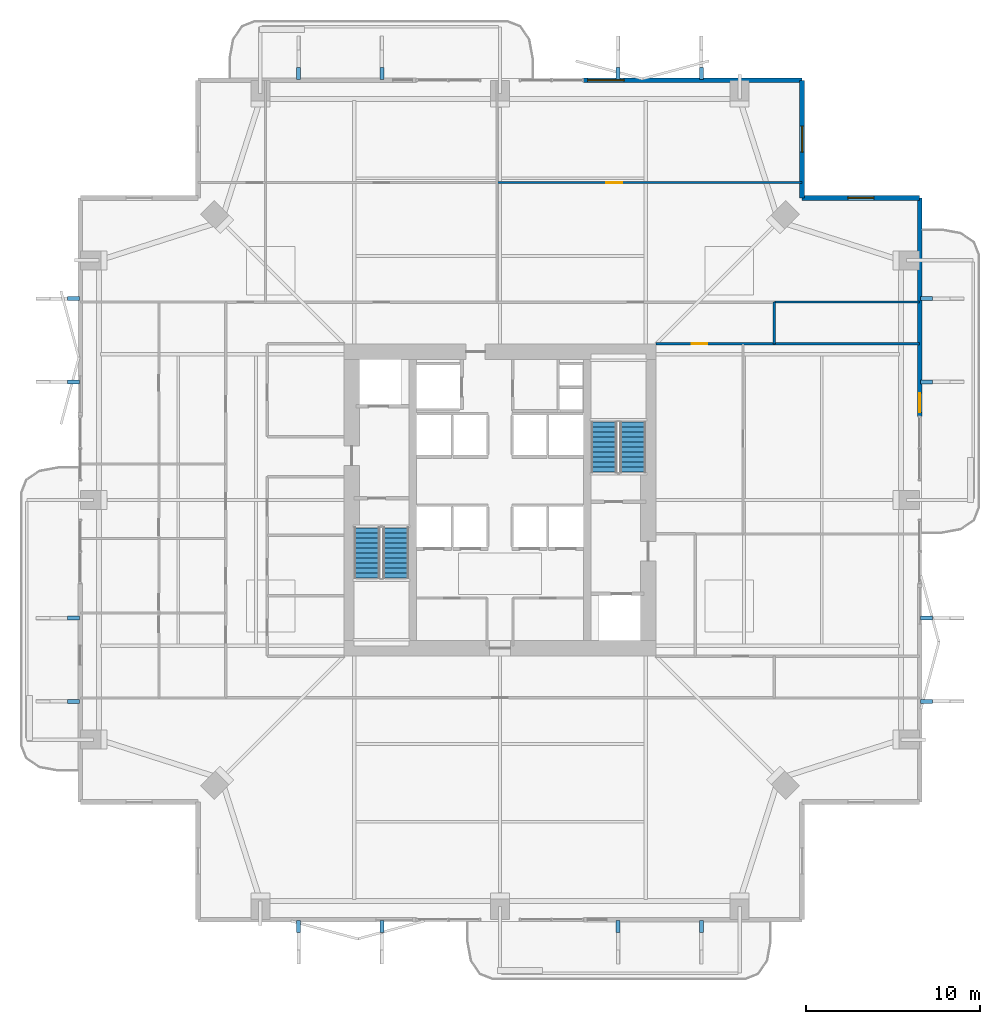
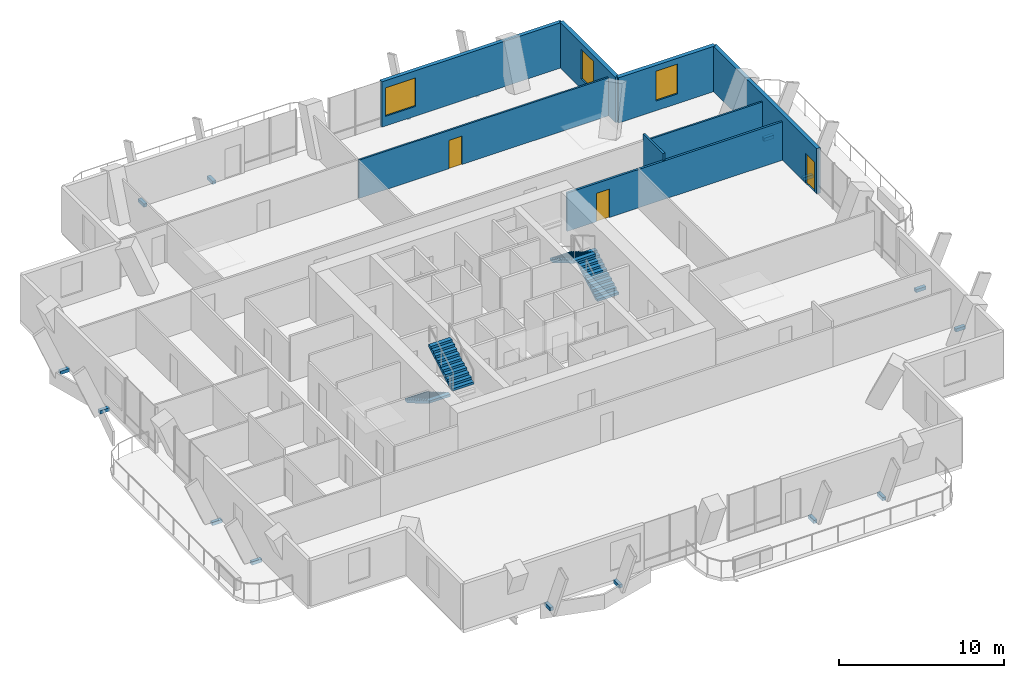
# One storey, part 21 of 24: 16 discrete accessories, 8 walls, 4 stair flights, 3 doors, 3 windows, 6 openings, 2 elements without a shape of their own.
"""IFC4 building model written with IfcOpenShell, lengths in metres."""

from ifc_helpers import new_model, si_unit, direction, frame, frame_2d, origin, origin_2d, place, context, subcontext, project, spatial, polyline, rectangle, outline, extrude, material, layer, layer_set, type_object, element, fill, aggregate, save


model = new_model("IFC4")

# Units and contexts
model_context = context("Model", 3, precision=1e-05, world=origin(), true_north=direction((0.0, 1.0)))
body_context = subcontext(model_context, "Body", "Model", "MODEL_VIEW")
ifc_project = project(units=[si_unit("LENGTHUNIT", "METRE"), si_unit("AREAUNIT", "SQUARE_METRE"), si_unit("VOLUMEUNIT", "CUBIC_METRE"), si_unit("PLANEANGLEUNIT", "RADIAN"), si_unit("MASSUNIT", "GRAM", prefix="KILO")], contexts=[model_context])

# Site, building, storey
site_placement = place(None, origin())
site = spatial("IfcSite", under=ifc_project, at=site_placement, CompositionType="ELEMENT")
building_placement = place(site_placement, origin())
building = spatial("IfcBuilding", under=site, at=building_placement, Name="Belovzor Exchange Tower", CompositionType="ELEMENT")
storey_placement = place(building_placement, frame((0.0, 0.0, 190.800048828125)))
storey = spatial("IfcBuildingStorey", under=building, at=storey_placement, Name="L47", CompositionType="ELEMENT", Elevation=190.800048828125)

# Wall, opening, door
ifc_material_1 = material(Name="Acoustic Plasterboard on Galvanised Studs", Category="gypsum")
ifc_layer_1 = layer(ifc_material_1, 0.1201171875)
ifc_layer_set_1 = layer_set([ifc_layer_1], Name="Acoustic Plasterboard on Galvanised Studs")
wall_type_1 = type_object("IfcWallType", Name="Acoustic Double-Stud Partition Wall 120", PredefinedType="PARTITIONING", material=ifc_layer_set_1)
wall_1_placement = place(storey_placement, frame((28.631103515625, 47.0830078125, 0.0), z_axis=(0.0, 0.0, 1.0), x_axis=(1.0, 0.0, 0.0)))
wall_1 = element("IfcWall", 1, at=wall_1_placement, inside=storey, type_object=wall_type_1, Name="W-P120 Partition Wall W-L47-NHDIV-2", PredefinedType="PARTITIONING", context=body_context, shape_type="SweptSolid", body=[
    extrude(rectangle(XDim=17.56884765625, YDim=0.1201171875, at=frame_2d((8.784423828125, 0.0))), origin(), (0.0, 0.0, 1.0), 2.8349609375),
])
opening_1_placement = place(wall_1_placement, frame((6.301025390625, 0.0, 0.0)))
opening_1 = element("IfcOpeningElement", 2, at=opening_1_placement, cuts=wall_1, Name="Opening D-INT-090", PredefinedType="OPENING", context=body_context, shape_type="SweptSolid", body=[
    extrude(rectangle(XDim=0.89990234375, YDim=2.10009765625, at=frame_2d((0.449951171875, 1.050048828125))), frame((0.0, 0.070068359375, 0.0), z_axis=(0.0, -1.0, 0.0), x_axis=(1.0, 0.0, 0.0)), (0.0, 0.0, 1.0), 0.14013671875),
])
ifc_material_2 = material(Name="Veneered Hardwood Acoustic Leaf", Category="wood")
door_type_1 = type_object("IfcDoorType", Name="Trading Suite Acoustic Single Door 900x2100", OperationType="NOTDEFINED", PredefinedType="DOOR", material=ifc_material_2)
door_1_placement = place(opening_1_placement, origin())
door_1 = element("IfcDoor", 3, at=door_1_placement, inside=storey, type_object=door_type_1, Name="D-INT-090 Trading Suite Acoustic Single Door 900x2100", OperationType="SINGLE_SWING_RIGHT", OverallHeight=2.10009765625, OverallWidth=0.89990234375, PredefinedType="DOOR", context=body_context, shape_type="SweptSolid", body=[
    extrude(rectangle(XDim=0.89990234375, YDim=2.10009765625, at=frame_2d((0.449951171875, 1.050048828125))), frame((0.0, 0.02490234375, 0.0), z_axis=(0.0, -1.0, 0.0), x_axis=(1.0, 0.0, 0.0)), (0.0, 0.0, 1.0), 0.050048828125),
])
fill(opening_1, door_1)

# Walls
wall_2_placement = place(storey_placement, frame((44.60009765625, 40.199951171875, 0.0), z_axis=(0.0, 0.0, 1.0), x_axis=(1.0, 0.0, 0.0)))
element("IfcWall", 4, at=wall_2_placement, inside=storey, type_object=wall_type_1, Name="W-P120 Partition Wall W-L47-END-NE", PredefinedType="PARTITIONING", context=body_context, shape_type="SweptSolid", body=[
    extrude(rectangle(XDim=8.369873046875, YDim=0.1201171875, at=frame_2d((4.18505859375, 0.0))), origin(), (0.0, 0.0, 1.0), 2.8349609375),
])
ifc_material_3 = material(Name="Fire-Rated Gypsum Block and Mineral Wool", Category="gypsum")
ifc_layer_2 = layer(ifc_material_3, 0.14990234375)
ifc_layer_set_2 = layer_set([ifc_layer_2], Name="Fire-Rated Gypsum Block and Mineral Wool")
wall_type_2 = type_object("IfcWallType", Name="Fire-Rated Gypsum Block Corridor Wall 150", PredefinedType="PARTITIONING", material=ifc_layer_set_2)
wall_3_placement = place(storey_placement, frame((44.60009765625, 37.800048828125, 0.0), z_axis=(0.0, 0.0, 1.0), x_axis=(0.0, 1.0, 0.0)))
element("IfcWall", 5, at=wall_3_placement, inside=storey, type_object=wall_type_2, Name="W-P150 Partition Wall W-L47-END-EN", PredefinedType="PARTITIONING", context=body_context, shape_type="SweptSolid", body=[
    extrude(rectangle(XDim=2.39990234375, YDim=0.14990234375, at=frame_2d((1.199951171875, 0.0))), origin(), (0.0, 0.0, 1.0), 3.349853515625),
])

# Wall, opening, door
wall_4_placement = place(storey_placement, frame((37.800048828125, 37.800048828125, 0.0), z_axis=(0.0, 0.0, 1.0), x_axis=(1.0, 0.0, 0.0)))
wall_4 = element("IfcWall", 6, at=wall_4_placement, inside=storey, type_object=wall_type_2, Name="W-P150 Partition Wall W-L47-CN-IN", PredefinedType="PARTITIONING", context=body_context, shape_type="SweptSolid", body=[
    extrude(rectangle(XDim=15.169921875, YDim=0.14990234375, at=frame_2d((7.5849609375, 0.0))), origin(), (0.0, 0.0, 1.0), 2.8349609375),
])
opening_2_placement = place(wall_4_placement, frame((2.050048828125, 0.0, 0.0)))
opening_2 = element("IfcOpeningElement", 7, at=opening_2_placement, cuts=wall_4, Name="Opening D-INT-090", PredefinedType="OPENING", context=body_context, shape_type="SweptSolid", body=[
    extrude(rectangle(XDim=0.89990234375, YDim=2.10009765625, at=frame_2d((0.449951171875, 1.050048828125))), frame((0.0, 0.0849609375, 0.0), z_axis=(0.0, -1.0, 0.0), x_axis=(1.0, 0.0, 0.0)), (0.0, 0.0, 1.0), 0.169921875),
])
door_2_placement = place(opening_2_placement, origin())
door_2 = element("IfcDoor", 8, at=door_2_placement, inside=storey, type_object=door_type_1, Name="D-INT-090 Trading Suite Acoustic Single Door 900x2100", OperationType="SINGLE_SWING_RIGHT", OverallHeight=2.10009765625, OverallWidth=0.89990234375, PredefinedType="DOOR", context=body_context, shape_type="SweptSolid", body=[
    extrude(rectangle(XDim=0.89990234375, YDim=2.10009765625, at=frame_2d((0.449951171875, 1.050048828125))), frame((0.0, 0.02490234375, 0.0), z_axis=(0.0, -1.0, 0.0), x_axis=(1.0, 0.0, 0.0)), (0.0, 0.0, 1.0), 0.050048828125),
])
fill(opening_2, door_2)

# Wall, opening, window
ifc_material_4 = material(Name="Precast concrete C40/50", Category="concrete")
ifc_layer_3 = layer(ifc_material_4, 0.280029296875)
ifc_layer_set_3 = layer_set([ifc_layer_3], Name="Precast concrete C40/50")
wall_type_3 = type_object("IfcWallType", Name="Precast Concrete Notched Corner Frame Wall 280", PredefinedType="SOLIDWALL", material=ifc_layer_set_3)
wall_5_placement = place(storey_placement, frame((46.199951171875, 52.969970703125, 0.0), z_axis=(0.0, 0.0, 1.0), x_axis=(0.0, -1.0, 0.0)))
wall_5 = element("IfcWall", 9, at=wall_5_placement, inside=storey, type_object=wall_type_3, Name="W-CRN280 Precast Concrete Notched Corner Frame Wall 280 L47", PredefinedType="SOLIDWALL", context=body_context, shape_type="SweptSolid", body=[
    extrude(rectangle(XDim=6.77001953125, YDim=0.280029296875, at=frame_2d((3.385009765625, 0.0))), origin(), (0.0, 0.0, 1.0), 3.349853515625),
])
opening_3_placement = place(wall_5_placement, frame((2.635009765625, 0.0, 0.719970703125)))
opening_3 = element("IfcOpeningElement", 10, at=opening_3_placement, cuts=wall_5, Name="Opening WN-CRN150", PredefinedType="OPENING", context=body_context, shape_type="SweptSolid", body=[
    extrude(rectangle(XDim=1.5, YDim=2.199951171875, at=frame_2d((0.75, 1.10009765625))), frame((0.0, 0.14990234375, 0.0), z_axis=(0.0, -1.0, 0.0), x_axis=(1.0, 0.0, 0.0)), (0.0, 0.0, 1.0), 0.300048828125),
])
ifc_material_5 = material(Name="Thermally Broken Aluminium and Triple Glazing", Category="aluminium")
window_type_1 = type_object("IfcWindowType", Name="Streamline Notched Corner Window 1500x2200", PartitioningType="SINGLE_PANEL", PredefinedType="WINDOW", material=ifc_material_5)
window_1_placement = place(opening_3_placement, origin())
window_1 = element("IfcWindow", 11, at=window_1_placement, inside=storey, type_object=window_type_1, Name="WN-CRN150 Streamline Notched Corner Window 1500x2200", OverallHeight=2.199951171875, OverallWidth=1.5, PartitioningType="SINGLE_PANEL", PredefinedType="WINDOW", context=body_context, shape_type="SweptSolid", body=[
    extrude(rectangle(XDim=1.5, YDim=2.199951171875, at=frame_2d((0.75, 1.10009765625))), frame((0.0, 0.030029296875, 0.0), z_axis=(0.0, -1.0, 0.0), x_axis=(1.0, 0.0, 0.0)), (0.0, 0.0, 1.0), 0.06005859375),
])
fill(opening_3, window_1)

wall_6_placement = place(storey_placement, frame((46.199951171875, 46.199951171875, 0.0), z_axis=(0.0, 0.0, 1.0), x_axis=(1.0, 0.0, 0.0)))
wall_6 = element("IfcWall", 12, at=wall_6_placement, inside=storey, type_object=wall_type_3, Name="W-CRN280 Precast Concrete Notched Corner Frame Wall 280 L47", PredefinedType="SOLIDWALL", context=body_context, shape_type="SweptSolid", body=[
    extrude(rectangle(XDim=6.77001953125, YDim=0.280029296875, at=frame_2d((3.385009765625, 0.0))), origin(), (0.0, 0.0, 1.0), 3.349853515625),
])
opening_4_placement = place(wall_6_placement, frame((2.635009765625, 0.0, 0.719970703125)))
opening_4 = element("IfcOpeningElement", 13, at=opening_4_placement, cuts=wall_6, Name="Opening WN-CRN150", PredefinedType="OPENING", context=body_context, shape_type="SweptSolid", body=[
    extrude(rectangle(XDim=1.5, YDim=2.199951171875, at=frame_2d((0.75, 1.10009765625))), frame((0.0, 0.14990234375, 0.0), z_axis=(0.0, -1.0, 0.0), x_axis=(1.0, 0.0, 0.0)), (0.0, 0.0, 1.0), 0.300048828125),
])
window_2_placement = place(opening_4_placement, origin())
window_2 = element("IfcWindow", 14, at=window_2_placement, inside=storey, type_object=window_type_1, Name="WN-CRN150 Streamline Notched Corner Window 1500x2200", OverallHeight=2.199951171875, OverallWidth=1.5, PartitioningType="SINGLE_PANEL", PredefinedType="WINDOW", context=body_context, shape_type="SweptSolid", body=[
    extrude(rectangle(XDim=1.5, YDim=2.199951171875, at=frame_2d((0.75, 1.10009765625))), frame((0.0, 0.030029296875, 0.0), z_axis=(0.0, -1.0, 0.0), x_axis=(1.0, 0.0, 0.0)), (0.0, 0.0, 1.0), 0.06005859375),
])
fill(opening_4, window_2)

ifc_material_6 = material(Name="Precast concrete C40/50", Category="concrete")
ifc_layer_4 = layer(ifc_material_6, 0.260009765625)
ifc_layer_set_4 = layer_set([ifc_layer_4], Name="Precast concrete C40/50")
wall_type_4 = type_object("IfcWallType", Name="Precast Concrete Perimeter Loggia Frame Wall 260", PredefinedType="SOLIDWALL", material=ifc_layer_set_4)
wall_7_placement = place(storey_placement, frame((33.60009765625, 52.969970703125, 0.0), z_axis=(0.0, 0.0, 1.0), x_axis=(1.0, 0.0, 0.0)))
wall_7 = element("IfcWall", 15, at=wall_7_placement, inside=storey, type_object=wall_type_4, Name="W-EXT260 Precast Concrete Perimeter Loggia Frame Wall 260 L47", PredefinedType="SOLIDWALL", context=body_context, shape_type="SweptSolid", body=[
    extrude(rectangle(XDim=12.599853515625, YDim=0.260009765625, at=frame_2d((6.2998046875, 0.0))), origin(), (0.0, 0.0, 1.0), 3.349853515625),
])
opening_5_placement = place(wall_7_placement, frame((0.25, 0.0, 0.719970703125)))
opening_5 = element("IfcOpeningElement", 16, at=opening_5_placement, cuts=wall_7, Name="Opening WN-LOG210", PredefinedType="OPENING", context=body_context, shape_type="SweptSolid", body=[
    extrude(rectangle(XDim=2.10009765625, YDim=2.10009765625, at=frame_2d((1.050048828125, 1.050048828125))), frame((0.0, 0.139892578125, 0.0), z_axis=(0.0, -1.0, 0.0), x_axis=(1.0, 0.0, 0.0)), (0.0, 0.0, 1.0), 0.280029296875),
])
ifc_material_7 = material(Name="Thermally Broken Aluminium and Triple Glazing", Category="aluminium")
window_type_2 = type_object("IfcWindowType", Name="Triple-Glazed Loggia Ribbon Window 2100x2100", PartitioningType="SINGLE_PANEL", PredefinedType="WINDOW", material=ifc_material_7)
window_3_placement = place(opening_5_placement, origin())
window_3 = element("IfcWindow", 17, at=window_3_placement, inside=storey, type_object=window_type_2, Name="WN-LOG210 Triple-Glazed Loggia Ribbon Window 2100x2100", OverallHeight=2.10009765625, OverallWidth=2.10009765625, PartitioningType="SINGLE_PANEL", PredefinedType="WINDOW", context=body_context, shape_type="SweptSolid", body=[
    extrude(rectangle(XDim=2.10009765625, YDim=2.10009765625, at=frame_2d((1.050048828125, 1.050048828125))), frame((0.0, 0.030029296875, 0.0), z_axis=(0.0, -1.0, 0.0), x_axis=(1.0, 0.0, 0.0)), (0.0, 0.0, 1.0), 0.06005859375),
])
fill(opening_5, window_3)

# Wall, opening, door
wall_8_placement = place(storey_placement, frame((52.969970703125, 46.199951171875, 0.0), z_axis=(0.0, 0.0, 1.0), x_axis=(0.0, -1.0, 0.0)))
wall_8 = element("IfcWall", 18, at=wall_8_placement, inside=storey, type_object=wall_type_4, Name="W-EXT260 Precast Concrete Perimeter Loggia Frame Wall 260 L47", PredefinedType="SOLIDWALL", context=body_context, shape_type="SweptSolid", body=[
    extrude(rectangle(XDim=12.599853515625, YDim=0.260009765625, at=frame_2d((6.2998046875, 0.0))), origin(), (0.0, 0.0, 1.0), 3.349853515625),
])
opening_6_placement = place(wall_8_placement, frame((11.25, 0.0, 0.0)))
opening_6 = element("IfcOpeningElement", 19, at=opening_6_placement, cuts=wall_8, Name="Opening D-BAL110", PredefinedType="OPENING", context=body_context, shape_type="SweptSolid", body=[
    extrude(rectangle(XDim=1.10009765625, YDim=2.199951171875, at=frame_2d((0.550048828125, 1.10009765625))), frame((0.0, 0.139892578125, 0.0), z_axis=(0.0, -1.0, 0.0), x_axis=(1.0, 0.0, 0.0)), (0.0, 0.0, 1.0), 0.280029296875),
])
ifc_material_8 = material(Name="Thermally Broken Anodised Aluminium and Laminated Glass", Category="aluminium")
door_type_2 = type_object("IfcDoorType", Name="Planted Loggia Terrace Glazed Door 1100x2200", OperationType="SINGLE_SWING_LEFT", PredefinedType="DOOR", material=ifc_material_8)
door_3_placement = place(opening_6_placement, origin())
door_3 = element("IfcDoor", 20, at=door_3_placement, inside=storey, type_object=door_type_2, Name="D-BAL110 Balcony Terrace Door L47 E", OperationType="SINGLE_SWING_LEFT", OverallHeight=2.199951171875, OverallWidth=1.10009765625, PredefinedType="DOOR", context=body_context, shape_type="SweptSolid", body=[
    extrude(rectangle(XDim=1.10009765625, YDim=2.199951171875, at=frame_2d((0.550048828125, 1.10009765625))), frame((0.0, 0.02490234375, 0.0), z_axis=(0.0, -1.0, 0.0), x_axis=(1.0, 0.0, 0.0)), (0.0, 0.0, 1.0), 0.050048828125),
])
fill(opening_6, door_3)

# Stair, stair flights
ifc_material_9 = material(Name="Concrete C40/50", Category="concrete")
stair_type = type_object("IfcStairType", Name="Reinforced Concrete Dogleg Escape Stair 1350", PredefinedType="HALF_TURN_STAIR", material=ifc_material_9)
stair_1_placement = place(storey_placement, origin())
stair_1 = element("IfcStair", 21, at=stair_1_placement, inside=storey, type_object=stair_type, Name="L47 ST-1", PredefinedType="HALF_TURN_STAIR")
ifc_material_10 = material(Name="Concrete C40/50", Category="concrete")
stair_flight_type = type_object("IfcStairFlightType", Name="Reinforced Concrete Stair Flight 1350", PredefinedType="STRAIGHT", material=ifc_material_10)
stair_flight_1_placement = place(storey_placement, frame((21.14990234375, 27.199951171875, 0.0), z_axis=(0.0, 0.0, 1.0), x_axis=(0.0, -1.0, 0.0)))
stair_flight_1 = element("IfcStairFlight", 22, at=stair_flight_1_placement, type_object=stair_flight_type, Name="ST-1 flight 1", NumberOfRisers=11, NumberOfTreads=10, PredefinedType="STRAIGHT", RiserHeight=0.170454545, TreadLength=0.29, context=body_context, shape_type="SweptSolid", body=[
    extrude(outline(polyline([(0.0, 0.0), (0.0, 0.17041015625), (0.2900390625, 0.17041015625), (0.2900390625, 0.3408203125), (0.580078125, 0.3408203125), (0.580078125, 0.511474609375), (0.8701171875, 0.511474609375), (0.8701171875, 0.681884765625), (1.159912109375, 0.681884765625), (1.159912109375, 0.852294921875), (1.449951171875, 0.852294921875), (1.449951171875, 1.022705078125), (1.739990234375, 1.022705078125), (1.739990234375, 1.193115234375), (2.030029296875, 1.193115234375), (2.030029296875, 1.363525390625), (2.320068359375, 1.363525390625), (2.320068359375, 1.5341796875), (2.610107421875, 1.5341796875), (2.610107421875, 1.70458984375), (2.89990234375, 1.70458984375), (2.89990234375, 1.875), (2.89990234375, 1.53076171875), (0.2958984375, 0.0), (0.0, 0.0)])), frame((0.0, 0.75, 0.0), z_axis=(0.0, -1.0, 0.0), x_axis=(1.0, 0.0, 0.0)), (0.0, 0.0, 1.0), 1.5),
])
stair_flight_2_placement = place(storey_placement, frame((22.800048828125, 24.300048828125, 1.875), z_axis=(0.0, 0.0, 1.0), x_axis=(0.0, 1.0, 0.0)))
stair_flight_2 = element("IfcStairFlight", 23, at=stair_flight_2_placement, type_object=stair_flight_type, Name="ST-1 flight 2", NumberOfRisers=11, NumberOfTreads=10, PredefinedType="STRAIGHT", RiserHeight=0.170454545, TreadLength=0.29, context=body_context, shape_type="SweptSolid", body=[
    extrude(outline(polyline([(0.0, 0.0), (0.0, 0.17041015625), (0.2900390625, 0.17041015625), (0.2900390625, 0.3408203125), (0.580078125, 0.3408203125), (0.580078125, 0.511474609375), (0.8701171875, 0.511474609375), (0.8701171875, 0.681884765625), (1.159912109375, 0.681884765625), (1.159912109375, 0.852294921875), (1.449951171875, 0.852294921875), (1.449951171875, 1.022705078125), (1.739990234375, 1.022705078125), (1.739990234375, 1.193115234375), (2.030029296875, 1.193115234375), (2.030029296875, 1.363525390625), (2.320068359375, 1.363525390625), (2.320068359375, 1.5341796875), (2.610107421875, 1.5341796875), (2.610107421875, 1.70458984375), (2.89990234375, 1.70458984375), (2.89990234375, 1.875), (2.89990234375, 1.53076171875), (0.2958984375, 0.0), (0.0, 0.0)])), frame((0.0, 0.75, 0.0), z_axis=(0.0, -1.0, 0.0), x_axis=(1.0, 0.0, 0.0)), (0.0, 0.0, 1.0), 1.5),
])
aggregate(stair_1, [stair_flight_1, stair_flight_2])

stair_2_placement = place(storey_placement, origin())
stair_2 = element("IfcStair", 24, at=stair_2_placement, inside=storey, type_object=stair_type, Name="L47 ST-2", PredefinedType="HALF_TURN_STAIR")
stair_flight_3_placement = place(storey_placement, frame((36.449951171875, 30.39990234375, 0.0), z_axis=(0.0, 0.0, 1.0), x_axis=(0.0, 1.0, 0.0)))
stair_flight_3 = element("IfcStairFlight", 25, at=stair_flight_3_placement, type_object=stair_flight_type, Name="ST-2 flight 1", NumberOfRisers=11, NumberOfTreads=10, PredefinedType="STRAIGHT", RiserHeight=0.170454545, TreadLength=0.29, context=body_context, shape_type="SweptSolid", body=[
    extrude(outline(polyline([(0.0, 0.0), (0.0, 0.17041015625), (0.2900390625, 0.17041015625), (0.2900390625, 0.3408203125), (0.580078125, 0.3408203125), (0.580078125, 0.511474609375), (0.8701171875, 0.511474609375), (0.8701171875, 0.681884765625), (1.159912109375, 0.681884765625), (1.159912109375, 0.852294921875), (1.449951171875, 0.852294921875), (1.449951171875, 1.022705078125), (1.739990234375, 1.022705078125), (1.739990234375, 1.193115234375), (2.030029296875, 1.193115234375), (2.030029296875, 1.363525390625), (2.320068359375, 1.363525390625), (2.320068359375, 1.5341796875), (2.610107421875, 1.5341796875), (2.610107421875, 1.70458984375), (2.89990234375, 1.70458984375), (2.89990234375, 1.875), (2.89990234375, 1.53076171875), (0.2958984375, 0.0), (0.0, 0.0)])), frame((0.0, 0.75, 0.0), z_axis=(0.0, -1.0, 0.0), x_axis=(1.0, 0.0, 0.0)), (0.0, 0.0, 1.0), 1.5),
])
stair_flight_4_placement = place(storey_placement, frame((34.800048828125, 33.300048828125, 1.875), z_axis=(0.0, 0.0, 1.0), x_axis=(0.0, -1.0, 0.0)))
stair_flight_4 = element("IfcStairFlight", 26, at=stair_flight_4_placement, type_object=stair_flight_type, Name="ST-2 flight 2", NumberOfRisers=11, NumberOfTreads=10, PredefinedType="STRAIGHT", RiserHeight=0.170454545, TreadLength=0.29, context=body_context, shape_type="SweptSolid", body=[
    extrude(outline(polyline([(0.0, 0.0), (0.0, 0.17041015625), (0.2900390625, 0.17041015625), (0.2900390625, 0.3408203125), (0.580078125, 0.3408203125), (0.580078125, 0.511474609375), (0.8701171875, 0.511474609375), (0.8701171875, 0.681884765625), (1.159912109375, 0.681884765625), (1.159912109375, 0.852294921875), (1.449951171875, 0.852294921875), (1.449951171875, 1.022705078125), (1.739990234375, 1.022705078125), (1.739990234375, 1.193115234375), (2.030029296875, 1.193115234375), (2.030029296875, 1.363525390625), (2.320068359375, 1.363525390625), (2.320068359375, 1.5341796875), (2.610107421875, 1.5341796875), (2.610107421875, 1.70458984375), (2.89990234375, 1.70458984375), (2.89990234375, 1.875), (2.89990234375, 1.53076171875), (0.2958984375, 0.0), (0.0, 0.0)])), frame((0.0, 0.75, 0.0), z_axis=(0.0, -1.0, 0.0), x_axis=(1.0, 0.0, 0.0)), (0.0, 0.0, 1.0), 1.5),
])
aggregate(stair_2, [stair_flight_3, stair_flight_4])

# Discrete accessories
ifc_material_11 = material(Name="Stainless Steel Grade 316", Category="steel")
ifc_layer_5 = layer(ifc_material_11, 0.179931640625)
ifc_layer_set_5 = layer_set([ifc_layer_5], Name="Stainless Steel Grade 316")
discrete_accessory_type = type_object("IfcDiscreteAccessoryType", Name="Stainless Steel Facade Outrigger Fixing Bracket", PredefinedType="BRACKET", material=ifc_layer_set_5)
for number, where, z_axis, x_axis, name in (
    (27, (17.199951171875, 4.237060546875, -0.2470703125), (0.0, 0.0, 1.0), (0.0, 1.0, 0.0), "BRK-FIN1 Sweeping Fin Outrigger Bracket L47 S1"),
    (28, (17.199951171875, 53.362060546875, -0.2470703125), (0.0, 0.0, 1.0), (0.0, 1.0, 0.0), "BRK-FIN1 Sweeping Fin Outrigger Bracket L47 N1"),
    (29, (4.237060546875, 17.199951171875, -0.2470703125), (0.0, 0.0, 1.0), (1.0, 0.0, 0.0), "BRK-FIN1 Sweeping Fin Outrigger Bracket L47 W1"),
    (30, (53.362060546875, 17.199951171875, -0.2470703125), (0.0, 0.0, 1.0), (1.0, 0.0, 0.0), "BRK-FIN1 Sweeping Fin Outrigger Bracket L47 E1"),
    (31, (22.0, 4.237060546875, -0.2470703125), (0.0, 0.0, 1.0), (0.0, 1.0, 0.0), "BRK-FIN1 Sweeping Fin Outrigger Bracket L47 S2"),
    (32, (22.0, 53.362060546875, -0.2470703125), (0.0, 0.0, 1.0), (0.0, 1.0, 0.0), "BRK-FIN1 Sweeping Fin Outrigger Bracket L47 N2"),
    (33, (4.237060546875, 22.0, -0.2470703125), (0.0, 0.0, 1.0), (1.0, 0.0, 0.0), "BRK-FIN1 Sweeping Fin Outrigger Bracket L47 W2"),
    (34, (53.362060546875, 22.0, -0.2470703125), (0.0, 0.0, 1.0), (1.0, 0.0, 0.0), "BRK-FIN1 Sweeping Fin Outrigger Bracket L47 E2"),
    (35, (35.60009765625, 4.237060546875, -0.2470703125), (0.0, 0.0, 1.0), (0.0, 1.0, 0.0), "BRK-FIN1 Sweeping Fin Outrigger Bracket L47 S3"),
    (36, (35.60009765625, 53.362060546875, -0.2470703125), (0.0, 0.0, 1.0), (0.0, 1.0, 0.0), "BRK-FIN1 Sweeping Fin Outrigger Bracket L47 N3"),
    (37, (4.237060546875, 35.60009765625, -0.2470703125), (0.0, 0.0, 1.0), (1.0, 0.0, 0.0), "BRK-FIN1 Sweeping Fin Outrigger Bracket L47 W3"),
    (38, (53.362060546875, 35.60009765625, -0.2470703125), (0.0, 0.0, 1.0), (1.0, 0.0, 0.0), "BRK-FIN1 Sweeping Fin Outrigger Bracket L47 E3"),
    (39, (40.39990234375, 4.237060546875, -0.2470703125), (0.0, 0.0, 1.0), (0.0, 1.0, 0.0), "BRK-FIN1 Sweeping Fin Outrigger Bracket L47 S4"),
    (40, (40.39990234375, 53.362060546875, -0.2470703125), (0.0, 0.0, 1.0), (0.0, 1.0, 0.0), "BRK-FIN1 Sweeping Fin Outrigger Bracket L47 N4"),
    (41, (4.237060546875, 40.39990234375, -0.2470703125), (0.0, 0.0, 1.0), (1.0, 0.0, 0.0), "BRK-FIN1 Sweeping Fin Outrigger Bracket L47 W4"),
    (42, (53.362060546875, 40.39990234375, -0.2470703125), (0.0, 0.0, 1.0), (1.0, 0.0, 0.0), "BRK-FIN1 Sweeping Fin Outrigger Bracket L47 E4"),
):
    element("IfcDiscreteAccessory", number, at=place(storey_placement, frame(where, z_axis=z_axis, x_axis=x_axis)), inside=storey, type_object=discrete_accessory_type, Name=name, PredefinedType="BRACKET", context=body_context, shape_type="SweptSolid", body=[
        extrude(rectangle(XDim=0.68505859375, YDim=0.239990234375, at=origin_2d()), origin(), (0.0, 0.0, 1.0), 0.239990234375),
    ])

save(model, "model.ifc")
